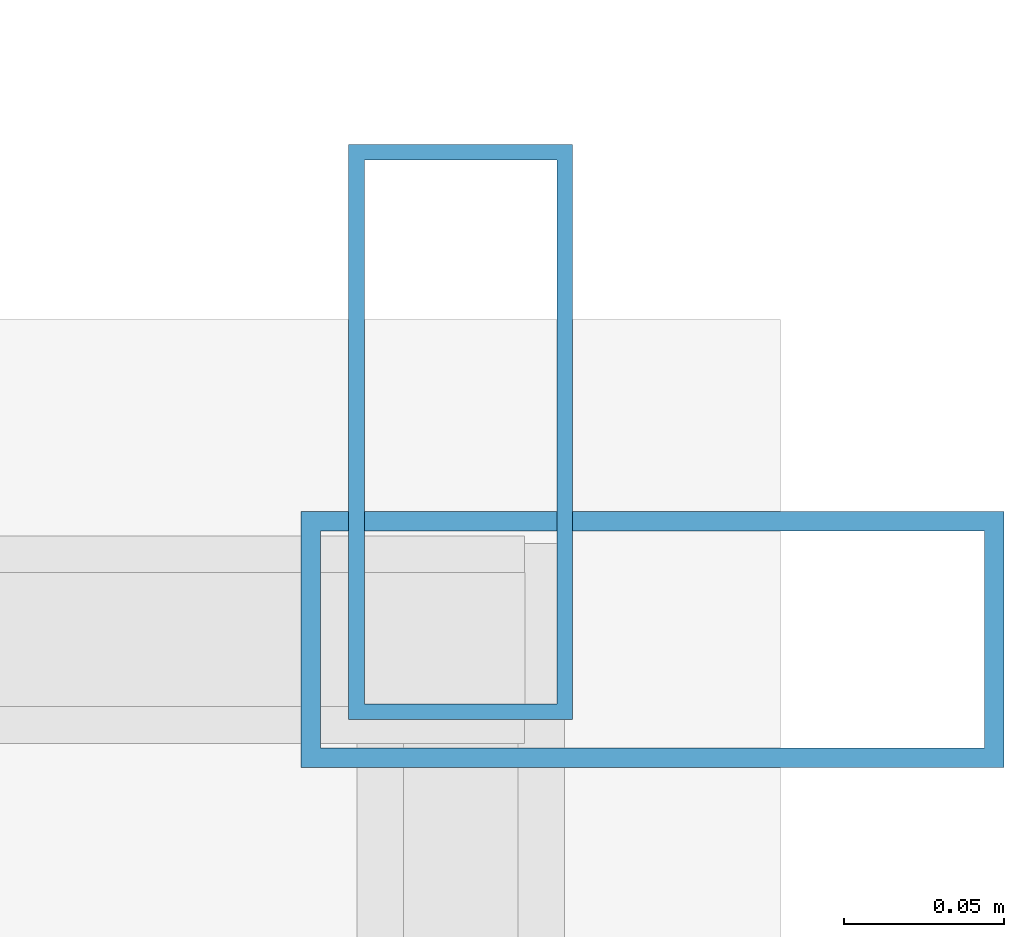
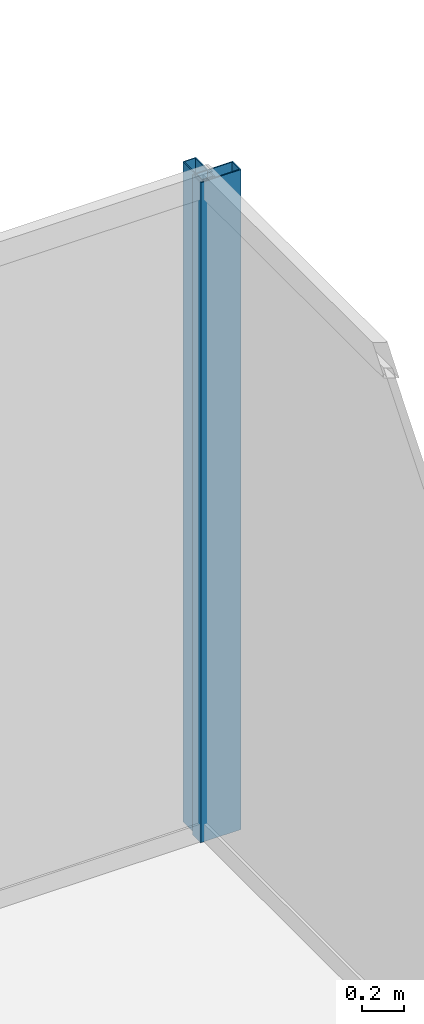
# One storey, part 26 of 33: 2 members, 2 elements without a shape of their own.
"""IFC4 building model written with IfcOpenShell, lengths in metres."""

from ifc_helpers import new_model, si_unit, direction, frame, origin, origin_2d, place, context, subcontext, project, spatial, hollow_rectangle, extrude, source, transform, mapped, material, layer, layer_set, material_profile, profile_set, type_object, type_shapes, element, aggregate, save


model = new_model("IFC4")

# Units and contexts
model_context = context("Model", 3, precision=1e-05, world=origin(), true_north=direction((0.0, 1.0)))
body_context = subcontext(model_context, "Body", "Model", "MODEL_VIEW")
ifc_project = project(units=[si_unit("LENGTHUNIT", "METRE"), si_unit("AREAUNIT", "SQUARE_METRE"), si_unit("VOLUMEUNIT", "CUBIC_METRE"), si_unit("PLANEANGLEUNIT", "RADIAN"), si_unit("MASSUNIT", "GRAM", prefix="KILO")], contexts=[model_context])

# Site, building, storey
site_placement = place(None, origin())
site = spatial("IfcSite", under=ifc_project, at=site_placement, CompositionType="ELEMENT")
building_placement = place(site_placement, origin())
building = spatial("IfcBuilding", under=site, at=building_placement, Name="Haelvirn Gate Laboratories", CompositionType="ELEMENT")
storey_placement = place(building_placement, frame((0.0, 0.0, 238.300048828125)))
storey = spatial("IfcBuildingStorey", under=building, at=storey_placement, Name="L57", CompositionType="ELEMENT", Elevation=238.300048828125)

# Curtain wall, member
ifc_material_1 = material(Name="Anodised bronze unitised aluminium & triple low-E glass", Category="aluminium")
ifc_layer_1 = layer(ifc_material_1, 0.176025390625, Name="CW-SYS-4")
ifc_layer_set_1 = layer_set([ifc_layer_1], Name="Anodised bronze unitised aluminium & triple low-E glass")
curtain_wall_type_1 = type_object("IfcCurtainWallType", Name="CW-SYS-4", PredefinedType="NOTDEFINED", material=ifc_layer_set_1)
curtain_wall_1_placement = place(storey_placement, origin())
curtain_wall_1 = element("IfcCurtainWall", 1, at=curtain_wall_1_placement, inside=storey, type_object=curtain_wall_type_1, Name="L57 Unitised Curtain Wall CW-L57-P0-E07", PredefinedType="NOTDEFINED")
ifc_material_2 = material(Name="Extruded aluminium 6063-T6 (anodised bronze)", Category="aluminium")
ifc_material_profile_1 = material_profile(ifc_material_2, hollow_rectangle(XDim=0.070068359375, YDim=0.179931640625, WallThickness=0.0048828125, at=origin_2d()), Name="CWM-180x70x5")
ifc_profile_set_1 = profile_set([ifc_material_profile_1], Name="Extruded aluminium 6063-T6 (anodised bronze)")
member_type_1 = type_object("IfcMemberType", Name="CWM-T180", PredefinedType="MULLION", material=ifc_profile_set_1)
shared_shape_1 = source(origin(), body_context, "Body", "SweptSolid", [
    extrude(hollow_rectangle(XDim=0.070068359375, YDim=0.179931640625, WallThickness=0.0048828125, at=origin_2d()), origin(), (0.0, 0.0, 1.0), 3.800048828125),
])
type_shapes(member_type_1, [shared_shape_1])
member_1_placement = place(storey_placement, frame((70.699951171875, 42.764892578125, 0.0), z_axis=(0.0, 0.0, 1.0), x_axis=(-1.0, 0.0, 0.0)))
member_1 = element("IfcMember", 2, at=member_1_placement, type_object=member_type_1, Name="CW4 mullion 3", PredefinedType="MULLION", context=body_context, shape_type="MappedRepresentation", body=[
    mapped(shared_shape_1, transform((0.0, 0.0, 0.0), scale=1.0)),
])
aggregate(curtain_wall_1, [member_1])

ifc_layer_2 = layer(ifc_material_1, 0.181884765625, Name="CW-SYS-5")
ifc_layer_set_2 = layer_set([ifc_layer_2], Name="Anodised bronze unitised aluminium & triple low-E glass")
curtain_wall_type_2 = type_object("IfcCurtainWallType", Name="CW-SYS-5", PredefinedType="NOTDEFINED", material=ifc_layer_set_2)
curtain_wall_2_placement = place(storey_placement, origin())
curtain_wall_2 = element("IfcCurtainWall", 3, at=curtain_wall_2_placement, inside=storey, type_object=curtain_wall_type_2, Name="L57 Unitised Curtain Wall CW-L57-P0-E08-1", PredefinedType="NOTDEFINED")
ifc_material_profile_2 = material_profile(ifc_material_2, hollow_rectangle(XDim=0.080078125, YDim=0.219970703125, WallThickness=0.006103515625, at=origin_2d()), Name="CWM-220x80x6")
ifc_profile_set_2 = profile_set([ifc_material_profile_2], Name="Extruded aluminium 6063-T6 (anodised bronze)")
member_type_2 = type_object("IfcMemberType", Name="CWM-T220", PredefinedType="MULLION", material=ifc_profile_set_2)
shared_shape_2 = source(origin(), body_context, "Body", "SweptSolid", [
    extrude(hollow_rectangle(XDim=0.080078125, YDim=0.219970703125, WallThickness=0.006103515625, at=origin_2d()), origin(), (0.0, 0.0, 1.0), 3.800048828125),
])
type_shapes(member_type_2, [shared_shape_2])
member_2_placement = place(storey_placement, frame((70.760009765625, 42.699951171875, 0.0), z_axis=(0.0, 0.0, 1.0), x_axis=(0.0, 1.0, 0.0)))
member_2 = element("IfcMember", 4, at=member_2_placement, type_object=member_type_2, Name="CW5 mullion 2", PredefinedType="MULLION", context=body_context, shape_type="MappedRepresentation", body=[
    mapped(shared_shape_2, transform((0.0, 0.0, 0.0), scale=1.0)),
])
aggregate(curtain_wall_2, [member_2])

save(model, "model.ifc")
